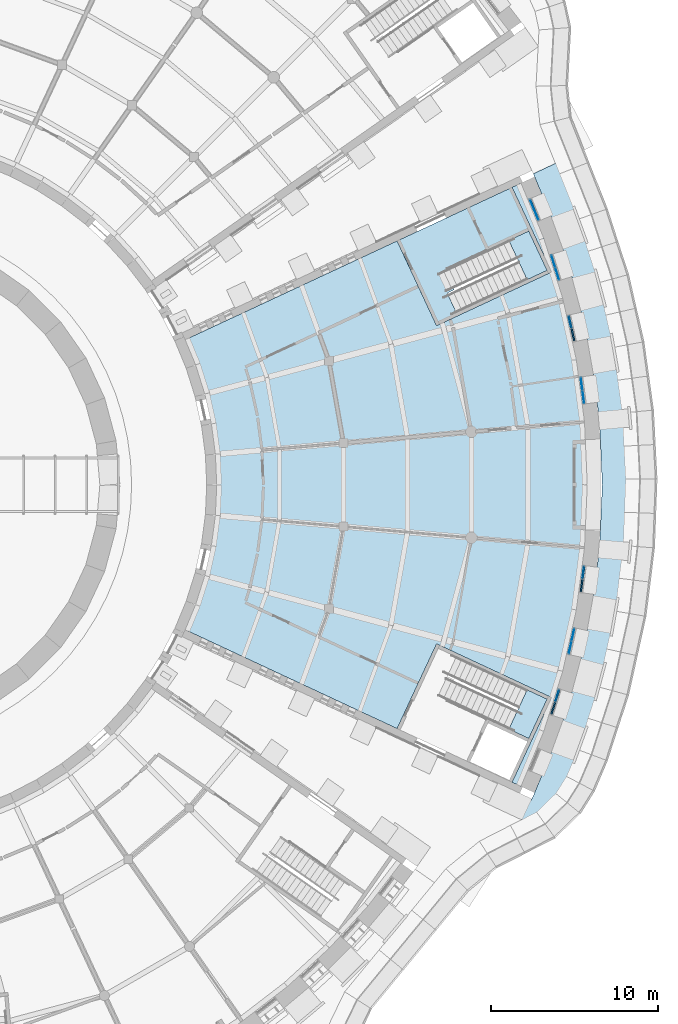
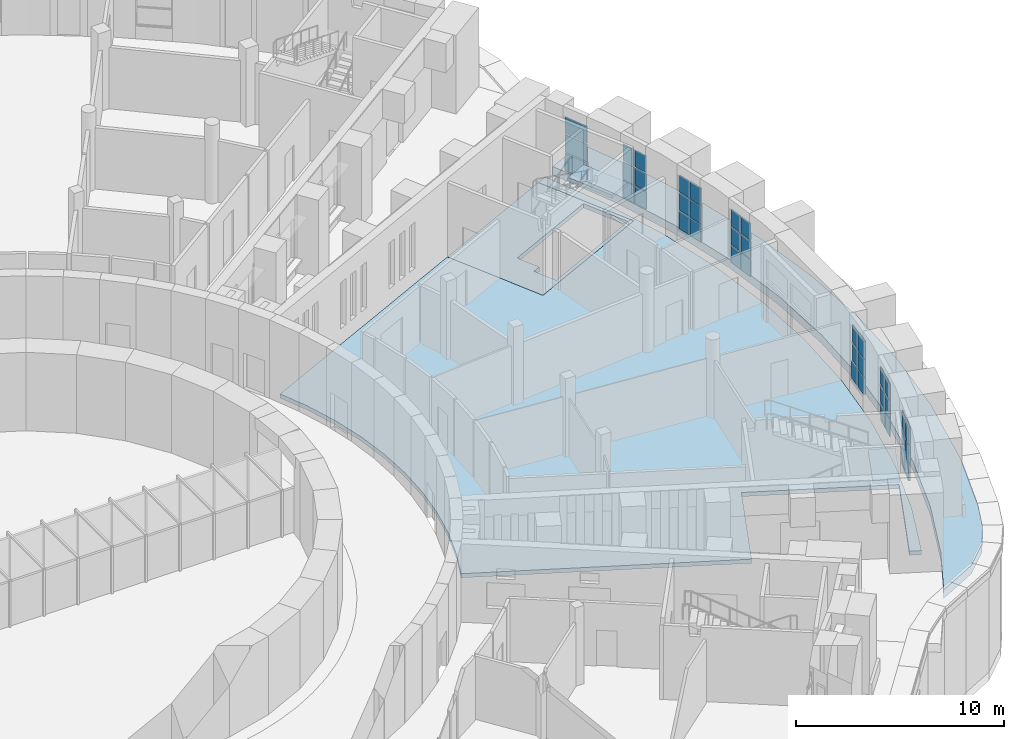
# One storey, part 35 of 85: 39 plates, 5 slabs, 9 elements without a shape of their own.
"""IFC4 building model written with IfcOpenShell, lengths in metres."""

from ifc_helpers import new_model, si_unit, direction, frame, origin, origin_2d, place, context, subcontext, project, spatial, polyline, rectangle, outline, extrude, material, layer, layer_set, type_object, element, aggregate, save


model = new_model("IFC4")

# Units and contexts
model_context = context("Model", 3, precision=1e-05, world=origin(), true_north=direction((0.0, 1.0)))
body_context = subcontext(model_context, "Body", "Model", "MODEL_VIEW")
ifc_project = project(units=[si_unit("LENGTHUNIT", "METRE"), si_unit("AREAUNIT", "SQUARE_METRE"), si_unit("VOLUMEUNIT", "CUBIC_METRE"), si_unit("PLANEANGLEUNIT", "RADIAN"), si_unit("MASSUNIT", "GRAM", prefix="KILO")], contexts=[model_context])

# Site, building, storey
site_placement = place(None, origin())
site = spatial("IfcSite", under=ifc_project, at=site_placement, CompositionType="ELEMENT")
building_placement = place(site_placement, origin())
building = spatial("IfcBuilding", under=site, at=building_placement, Name="Volute Hill Aquarium", CompositionType="ELEMENT")
storey_placement = place(building_placement, origin())
storey = spatial("IfcBuildingStorey", under=building, at=storey_placement, Name="L01", CompositionType="ELEMENT", Elevation=0.0)

# Slab
ifc_material_1 = material(Name="Concrete C30/37", Category="concrete")
ifc_layer_1 = layer(ifc_material_1, 0.25)
ifc_layer_set_1 = layer_set([ifc_layer_1], Name="Core floor slab 250")
slab_type_1 = type_object("IfcSlabType", Name="Core floor slab 250", PredefinedType="FLOOR", material=ifc_layer_set_1)
slab_1_placement = place(storey_placement, frame((0.0, 0.0, -0.25)))
element("IfcSlab", 1, at=slab_1_placement, inside=storey, type_object=slab_type_1, Name="cs/S4-B/L01", PredefinedType="FLOOR", context=body_context, shape_type="SweptSolid", body=[
    extrude(outline(polyline([(34.172119140625, 9.53515625), (41.059814453125, 12.7470703125), (38.693115234375, 17.822265625), (31.805419921875, 14.6103515625), (34.172119140625, 9.53515625)]), holes=[polyline([(34.665283203125, 12.8544921875), (39.6953125, 15.2001953125), (40.794189453125, 12.84375), (35.358154296875, 10.308837890625), (34.80859375, 11.487060546875), (35.214599609375, 11.676513671875), (34.665283203125, 12.8544921875)])]), origin(), (0.0, 0.0, 1.0), 0.25),
])

# Curtain wall, plates
ifc_material_2 = material(Name="Aluminium", Category="aluminium")
ifc_layer_2 = layer(ifc_material_2, 0.25)
ifc_layer_set_2 = layer_set([ifc_layer_2], Name="Curtain wall niche S4 module 819")
curtain_wall_type_1 = type_object("IfcCurtainWallType", Name="Curtain wall niche S4 module 819", PredefinedType="NOTDEFINED", material=ifc_layer_set_2)
curtain_wall_1_placement = place(storey_placement, origin())
curtain_wall_1 = element("IfcCurtainWall", 2, at=curtain_wall_1_placement, inside=storey, type_object=curtain_wall_type_1, Name="Curtain wall CW S4 L01 2", PredefinedType="NOTDEFINED")
ifc_material_3 = material(Name="Glass, low-iron laminated", Category="glass")
ifc_layer_3 = layer(ifc_material_3, 0.028076171875)
ifc_layer_set_3 = layer_set([ifc_layer_3], Name="Curtain wall glass panel S4 28")
plate_type_1 = type_object("IfcPlateType", Name="Curtain wall glass panel S4 28", PredefinedType="CURTAIN_PANEL", material=ifc_layer_set_3)
plate_1_placement = place(storey_placement, frame((41.398681640625, -12.639404296875, 1.86328125), z_axis=(0.0, 0.0, 1.0), x_axis=(0.300709576466, 0.953715759869, 0.0)))
plate_1 = element("IfcPlate", 3, at=plate_1_placement, type_object=plate_type_1, Name="CW panel 2.2", PredefinedType="CURTAIN_PANEL", context=body_context, shape_type="SweptSolid", body=[
    extrude(rectangle(XDim=0.728759765625, YDim=0.028076171875, at=origin_2d()), origin(), (0.0, 0.0, 1.0), 1.0234375),
])
plate_2_placement = place(storey_placement, frame((41.398681640625, -12.639404296875, 2.94677734375), z_axis=(0.0, 0.0, 1.0), x_axis=(0.300709576466, 0.953715759869, 0.0)))
plate_2 = element("IfcPlate", 4, at=plate_2_placement, type_object=plate_type_1, Name="CW panel 2.3", PredefinedType="CURTAIN_PANEL", context=body_context, shape_type="SweptSolid", body=[
    extrude(rectangle(XDim=0.728759765625, YDim=0.028076171875, at=origin_2d()), origin(), (0.0, 0.0, 1.0), 0.993408203125),
])

curtain_wall_2_placement = place(storey_placement, origin())
curtain_wall_2 = element("IfcCurtainWall", 5, at=curtain_wall_2_placement, inside=storey, type_object=curtain_wall_type_1, Name="Curtain wall CW S4 L01 3", PredefinedType="NOTDEFINED")
plate_3_placement = place(storey_placement, frame((42.172119140625, -9.75341796875, 0.81005859375), z_axis=(0.0, 0.0, 1.0), x_axis=(0.216431869204, 0.976297724054, 0.0)))
plate_3 = element("IfcPlate", 6, at=plate_3_placement, type_object=plate_type_1, Name="CW panel 1.1", PredefinedType="CURTAIN_PANEL", context=body_context, shape_type="SweptSolid", body=[
    extrude(rectangle(XDim=0.728759765625, YDim=0.028076171875, at=origin_2d()), origin(), (0.0, 0.0, 1.0), 0.993408203125),
])
plate_4_placement = place(storey_placement, frame((42.172119140625, -9.75341796875, 1.86328125), z_axis=(0.0, 0.0, 1.0), x_axis=(0.216431869204, 0.976297724054, 0.0)))
plate_4 = element("IfcPlate", 7, at=plate_4_placement, type_object=plate_type_1, Name="CW panel 1.2", PredefinedType="CURTAIN_PANEL", context=body_context, shape_type="SweptSolid", body=[
    extrude(rectangle(XDim=0.728759765625, YDim=0.028076171875, at=origin_2d()), origin(), (0.0, 0.0, 1.0), 1.0234375),
])
plate_5_placement = place(storey_placement, frame((42.172119140625, -9.75341796875, 2.94677734375), z_axis=(0.0, 0.0, 1.0), x_axis=(0.216431869204, 0.976297724054, 0.0)))
plate_5 = element("IfcPlate", 8, at=plate_5_placement, type_object=plate_type_1, Name="CW panel 1.3", PredefinedType="CURTAIN_PANEL", context=body_context, shape_type="SweptSolid", body=[
    extrude(rectangle(XDim=0.728759765625, YDim=0.028076171875, at=origin_2d()), origin(), (0.0, 0.0, 1.0), 0.993408203125),
])
plate_6_placement = place(storey_placement, frame((42.3427734375, -8.9833984375, 0.81005859375), z_axis=(0.0, 0.0, 1.0), x_axis=(0.216431869204, 0.976297724054, 0.0)))
plate_6 = element("IfcPlate", 9, at=plate_6_placement, type_object=plate_type_1, Name="CW panel 2.1", PredefinedType="CURTAIN_PANEL", context=body_context, shape_type="SweptSolid", body=[
    extrude(rectangle(XDim=0.728759765625, YDim=0.028076171875, at=origin_2d()), origin(), (0.0, 0.0, 1.0), 0.993408203125),
])
plate_7_placement = place(storey_placement, frame((42.3427734375, -8.9833984375, 1.86328125), z_axis=(0.0, 0.0, 1.0), x_axis=(0.216431869204, 0.976297724054, 0.0)))
plate_7 = element("IfcPlate", 10, at=plate_7_placement, type_object=plate_type_1, Name="CW panel 2.2", PredefinedType="CURTAIN_PANEL", context=body_context, shape_type="SweptSolid", body=[
    extrude(rectangle(XDim=0.728759765625, YDim=0.028076171875, at=origin_2d()), origin(), (0.0, 0.0, 1.0), 1.0234375),
])
plate_8_placement = place(storey_placement, frame((42.3427734375, -8.9833984375, 2.94677734375), z_axis=(0.0, 0.0, 1.0), x_axis=(0.216431869204, 0.976297724054, 0.0)))
plate_8 = element("IfcPlate", 11, at=plate_8_placement, type_object=plate_type_1, Name="CW panel 2.3", PredefinedType="CURTAIN_PANEL", context=body_context, shape_type="SweptSolid", body=[
    extrude(rectangle(XDim=0.728759765625, YDim=0.028076171875, at=origin_2d()), origin(), (0.0, 0.0, 1.0), 0.993408203125),
])
aggregate(curtain_wall_2, [plate_3, plate_4, plate_5, plate_6, plate_7, plate_8])

curtain_wall_3_placement = place(storey_placement, origin())
curtain_wall_3 = element("IfcCurtainWall", 12, at=curtain_wall_3_placement, inside=storey, type_object=curtain_wall_type_1, Name="Curtain wall CW S4 L01 4", PredefinedType="NOTDEFINED")
plate_9_placement = place(storey_placement, frame((42.964599609375, -5.258544921875, 1.86328125), z_axis=(0.0, 0.0, 1.0), x_axis=(0.130515808269, 0.991446228392, 0.0)))
plate_9 = element("IfcPlate", 13, at=plate_9_placement, type_object=plate_type_1, Name="CW panel 2.2", PredefinedType="CURTAIN_PANEL", context=body_context, shape_type="SweptSolid", body=[
    extrude(rectangle(XDim=0.728759765625, YDim=0.028076171875, at=origin_2d()), origin(), (0.0, 0.0, 1.0), 1.0234375),
])
plate_10_placement = place(storey_placement, frame((42.964599609375, -5.258544921875, 2.94677734375), z_axis=(0.0, 0.0, 1.0), x_axis=(0.130515808269, 0.991446228392, 0.0)))
plate_10 = element("IfcPlate", 14, at=plate_10_placement, type_object=plate_type_1, Name="CW panel 2.3", PredefinedType="CURTAIN_PANEL", context=body_context, shape_type="SweptSolid", body=[
    extrude(rectangle(XDim=0.728759765625, YDim=0.028076171875, at=origin_2d()), origin(), (0.0, 0.0, 1.0), 0.993408203125),
])

curtain_wall_4_placement = place(storey_placement, origin())
curtain_wall_4 = element("IfcCurtainWall", 15, at=curtain_wall_4_placement, inside=storey, type_object=curtain_wall_type_1, Name="Curtain wall CW S4 L01 7", PredefinedType="NOTDEFINED")
plate_11_placement = place(storey_placement, frame((42.964599609375, 5.258544921875, 0.81005859375), z_axis=(0.0, 0.0, 1.0), x_axis=(-0.130515808269, 0.991446228392, 0.0)))
plate_11 = element("IfcPlate", 16, at=plate_11_placement, type_object=plate_type_1, Name="CW panel 1.1", PredefinedType="CURTAIN_PANEL", context=body_context, shape_type="SweptSolid", body=[
    extrude(rectangle(XDim=0.728759765625, YDim=0.028076171875, at=origin_2d()), origin(), (0.0, 0.0, 1.0), 0.993408203125),
])
plate_12_placement = place(storey_placement, frame((42.964599609375, 5.258544921875, 1.86328125), z_axis=(0.0, 0.0, 1.0), x_axis=(-0.130515808269, 0.991446228392, 0.0)))
plate_12 = element("IfcPlate", 17, at=plate_12_placement, type_object=plate_type_1, Name="CW panel 1.2", PredefinedType="CURTAIN_PANEL", context=body_context, shape_type="SweptSolid", body=[
    extrude(rectangle(XDim=0.728759765625, YDim=0.028076171875, at=origin_2d()), origin(), (0.0, 0.0, 1.0), 1.0234375),
])
plate_13_placement = place(storey_placement, frame((42.964599609375, 5.258544921875, 2.94677734375), z_axis=(0.0, 0.0, 1.0), x_axis=(-0.130515808269, 0.991446228392, 0.0)))
plate_13 = element("IfcPlate", 18, at=plate_13_placement, type_object=plate_type_1, Name="CW panel 1.3", PredefinedType="CURTAIN_PANEL", context=body_context, shape_type="SweptSolid", body=[
    extrude(rectangle(XDim=0.728759765625, YDim=0.028076171875, at=origin_2d()), origin(), (0.0, 0.0, 1.0), 0.993408203125),
])
plate_14_placement = place(storey_placement, frame((42.86181640625, 6.04052734375, 0.81005859375), z_axis=(0.0, 0.0, 1.0), x_axis=(-0.130515808269, 0.991446228392, 0.0)))
plate_14 = element("IfcPlate", 19, at=plate_14_placement, type_object=plate_type_1, Name="CW panel 2.1", PredefinedType="CURTAIN_PANEL", context=body_context, shape_type="SweptSolid", body=[
    extrude(rectangle(XDim=0.728759765625, YDim=0.028076171875, at=origin_2d()), origin(), (0.0, 0.0, 1.0), 0.993408203125),
])
plate_15_placement = place(storey_placement, frame((42.86181640625, 6.04052734375, 1.86328125), z_axis=(0.0, 0.0, 1.0), x_axis=(-0.130515808269, 0.991446228392, 0.0)))
plate_15 = element("IfcPlate", 20, at=plate_15_placement, type_object=plate_type_1, Name="CW panel 2.2", PredefinedType="CURTAIN_PANEL", context=body_context, shape_type="SweptSolid", body=[
    extrude(rectangle(XDim=0.728759765625, YDim=0.028076171875, at=origin_2d()), origin(), (0.0, 0.0, 1.0), 1.0234375),
])
plate_16_placement = place(storey_placement, frame((42.86181640625, 6.04052734375, 2.94677734375), z_axis=(0.0, 0.0, 1.0), x_axis=(-0.130515808269, 0.991446228392, 0.0)))
plate_16 = element("IfcPlate", 21, at=plate_16_placement, type_object=plate_type_1, Name="CW panel 2.3", PredefinedType="CURTAIN_PANEL", context=body_context, shape_type="SweptSolid", body=[
    extrude(rectangle(XDim=0.728759765625, YDim=0.028076171875, at=origin_2d()), origin(), (0.0, 0.0, 1.0), 0.993408203125),
])
aggregate(curtain_wall_4, [plate_11, plate_12, plate_13, plate_14, plate_15, plate_16])

curtain_wall_5_placement = place(storey_placement, origin())
curtain_wall_5 = element("IfcCurtainWall", 22, at=curtain_wall_5_placement, inside=storey, type_object=curtain_wall_type_1, Name="Curtain wall CW S4 L01 8", PredefinedType="NOTDEFINED")
plate_17_placement = place(storey_placement, frame((42.172119140625, 9.753173828125, 1.86328125), z_axis=(0.0, 0.0, 1.0), x_axis=(-0.216436399795, 0.976296719673, 0.0)))
plate_17 = element("IfcPlate", 23, at=plate_17_placement, type_object=plate_type_1, Name="CW panel 2.2", PredefinedType="CURTAIN_PANEL", context=body_context, shape_type="SweptSolid", body=[
    extrude(rectangle(XDim=0.728759765625, YDim=0.028076171875, at=origin_2d()), origin(), (0.0, 0.0, 1.0), 1.0234375),
])
plate_18_placement = place(storey_placement, frame((42.172119140625, 9.753173828125, 2.94677734375), z_axis=(0.0, 0.0, 1.0), x_axis=(-0.216436399795, 0.976296719673, 0.0)))
plate_18 = element("IfcPlate", 24, at=plate_18_placement, type_object=plate_type_1, Name="CW panel 2.3", PredefinedType="CURTAIN_PANEL", context=body_context, shape_type="SweptSolid", body=[
    extrude(rectangle(XDim=0.728759765625, YDim=0.028076171875, at=origin_2d()), origin(), (0.0, 0.0, 1.0), 0.993408203125),
])

curtain_wall_6_placement = place(storey_placement, origin())
curtain_wall_6 = element("IfcCurtainWall", 25, at=curtain_wall_6_placement, inside=storey, type_object=curtain_wall_type_1, Name="Curtain wall CW S4 L01 9", PredefinedType="NOTDEFINED")
plate_19_placement = place(storey_placement, frame((41.398681640625, 12.639404296875, 0.81005859375), z_axis=(0.0, 0.0, 1.0), x_axis=(-0.300709576466, 0.953715759869, 0.0)))
plate_19 = element("IfcPlate", 26, at=plate_19_placement, type_object=plate_type_1, Name="CW panel 1.1", PredefinedType="CURTAIN_PANEL", context=body_context, shape_type="SweptSolid", body=[
    extrude(rectangle(XDim=0.728759765625, YDim=0.028076171875, at=origin_2d()), origin(), (0.0, 0.0, 1.0), 0.993408203125),
])
plate_20_placement = place(storey_placement, frame((41.398681640625, 12.639404296875, 1.86328125), z_axis=(0.0, 0.0, 1.0), x_axis=(-0.300709576466, 0.953715759869, 0.0)))
plate_20 = element("IfcPlate", 27, at=plate_20_placement, type_object=plate_type_1, Name="CW panel 1.2", PredefinedType="CURTAIN_PANEL", context=body_context, shape_type="SweptSolid", body=[
    extrude(rectangle(XDim=0.728759765625, YDim=0.028076171875, at=origin_2d()), origin(), (0.0, 0.0, 1.0), 1.0234375),
])
plate_21_placement = place(storey_placement, frame((41.398681640625, 12.639404296875, 2.94677734375), z_axis=(0.0, 0.0, 1.0), x_axis=(-0.300709576466, 0.953715759869, 0.0)))
plate_21 = element("IfcPlate", 28, at=plate_21_placement, type_object=plate_type_1, Name="CW panel 1.3", PredefinedType="CURTAIN_PANEL", context=body_context, shape_type="SweptSolid", body=[
    extrude(rectangle(XDim=0.728759765625, YDim=0.028076171875, at=origin_2d()), origin(), (0.0, 0.0, 1.0), 0.993408203125),
])
plate_22_placement = place(storey_placement, frame((41.16162109375, 13.391845703125, 0.81005859375), z_axis=(0.0, 0.0, 1.0), x_axis=(-0.300709576466, 0.953715759869, 0.0)))
plate_22 = element("IfcPlate", 29, at=plate_22_placement, type_object=plate_type_1, Name="CW panel 2.1", PredefinedType="CURTAIN_PANEL", context=body_context, shape_type="SweptSolid", body=[
    extrude(rectangle(XDim=0.728759765625, YDim=0.028076171875, at=origin_2d()), origin(), (0.0, 0.0, 1.0), 0.993408203125),
])
plate_23_placement = place(storey_placement, frame((41.16162109375, 13.391845703125, 1.86328125), z_axis=(0.0, 0.0, 1.0), x_axis=(-0.300709576466, 0.953715759869, 0.0)))
plate_23 = element("IfcPlate", 30, at=plate_23_placement, type_object=plate_type_1, Name="CW panel 2.2", PredefinedType="CURTAIN_PANEL", context=body_context, shape_type="SweptSolid", body=[
    extrude(rectangle(XDim=0.728759765625, YDim=0.028076171875, at=origin_2d()), origin(), (0.0, 0.0, 1.0), 1.0234375),
])
plate_24_placement = place(storey_placement, frame((41.16162109375, 13.391845703125, 2.94677734375), z_axis=(0.0, 0.0, 1.0), x_axis=(-0.300709576466, 0.953715759869, 0.0)))
plate_24 = element("IfcPlate", 31, at=plate_24_placement, type_object=plate_type_1, Name="CW panel 2.3", PredefinedType="CURTAIN_PANEL", context=body_context, shape_type="SweptSolid", body=[
    extrude(rectangle(XDim=0.728759765625, YDim=0.028076171875, at=origin_2d()), origin(), (0.0, 0.0, 1.0), 0.993408203125),
])
aggregate(curtain_wall_6, [plate_19, plate_20, plate_21, plate_22, plate_23, plate_24])

ifc_material_4 = material(Name="Aluminium", Category="aluminium")
ifc_layer_4 = layer(ifc_material_4, 0.25)
ifc_layer_set_4 = layer_set([ifc_layer_4], Name="Curtain wall niche S4 module 1437")
curtain_wall_type_2 = type_object("IfcCurtainWallType", Name="Curtain wall niche S4 module 1437", PredefinedType="NOTDEFINED", material=ifc_layer_set_4)
curtain_wall_7_placement = place(storey_placement, origin())
curtain_wall_7 = element("IfcCurtainWall", 32, at=curtain_wall_7_placement, inside=storey, type_object=curtain_wall_type_2, Name="Curtain wall CW S4 L01 10", PredefinedType="NOTDEFINED")
plate_25_placement = place(storey_placement, frame((40.027099609375, 16.471435546875, 1.86328125), z_axis=(0.0, 0.0, 1.0), x_axis=(-0.38269714514, 0.923873852375, 0.0)))
plate_25 = element("IfcPlate", 33, at=plate_25_placement, type_object=plate_type_1, Name="CW panel 1.2", PredefinedType="CURTAIN_PANEL", context=body_context, shape_type="SweptSolid", body=[
    extrude(rectangle(XDim=1.317138671875, YDim=0.028076171875, at=origin_2d()), origin(), (0.0, 0.0, 1.0), 1.0234375),
])
plate_26_placement = place(storey_placement, frame((40.027099609375, 16.471435546875, 2.94677734375), z_axis=(0.0, 0.0, 1.0), x_axis=(-0.38269714514, 0.923873852375, 0.0)))
plate_26 = element("IfcPlate", 34, at=plate_26_placement, type_object=plate_type_1, Name="CW panel 1.3", PredefinedType="CURTAIN_PANEL", context=body_context, shape_type="SweptSolid", body=[
    extrude(rectangle(XDim=1.317138671875, YDim=0.028076171875, at=origin_2d()), origin(), (0.0, 0.0, 1.0), 0.993408203125),
])

# Plate
ifc_material_5 = material(Name="Aluminium", Category="aluminium")
ifc_layer_5 = layer(ifc_material_5, 0.10009765625)
ifc_layer_set_5 = layer_set([ifc_layer_5], Name="Curtain wall insulated spandrel panel 100")
plate_type_2 = type_object("IfcPlateType", Name="Curtain wall insulated spandrel panel 100", PredefinedType="CURTAIN_PANEL", material=ifc_layer_set_5)
plate_27_placement = place(storey_placement, frame((41.16162109375, -13.391845703125, 0.81005859375), z_axis=(0.0, 0.0, 1.0), x_axis=(0.300709576466, 0.953715759869, 0.0)))
plate_27 = element("IfcPlate", 35, at=plate_27_placement, type_object=plate_type_2, Name="CW panel 1.1", PredefinedType="CURTAIN_PANEL", context=body_context, shape_type="SweptSolid", body=[
    extrude(rectangle(XDim=0.728759765625, YDim=0.10009765625, at=origin_2d()), origin(), (0.0, 0.0, 1.0), 0.993408203125),
])

plate_28_placement = place(storey_placement, frame((41.16162109375, -13.391845703125, 1.86328125), z_axis=(0.0, 0.0, 1.0), x_axis=(0.300709576466, 0.953715759869, 0.0)))
plate_28 = element("IfcPlate", 36, at=plate_28_placement, type_object=plate_type_2, Name="CW panel 1.2", PredefinedType="CURTAIN_PANEL", context=body_context, shape_type="SweptSolid", body=[
    extrude(rectangle(XDim=0.728759765625, YDim=0.10009765625, at=origin_2d()), origin(), (0.0, 0.0, 1.0), 1.0234375),
])

plate_29_placement = place(storey_placement, frame((41.16162109375, -13.391845703125, 2.94677734375), z_axis=(0.0, 0.0, 1.0), x_axis=(0.300709576466, 0.953715759869, 0.0)))
plate_29 = element("IfcPlate", 37, at=plate_29_placement, type_object=plate_type_2, Name="CW panel 1.3", PredefinedType="CURTAIN_PANEL", context=body_context, shape_type="SweptSolid", body=[
    extrude(rectangle(XDim=0.728759765625, YDim=0.10009765625, at=origin_2d()), origin(), (0.0, 0.0, 1.0), 0.993408203125),
])

plate_30_placement = place(storey_placement, frame((41.398681640625, -12.639404296875, 0.81005859375), z_axis=(0.0, 0.0, 1.0), x_axis=(0.300709576466, 0.953715759869, 0.0)))
plate_30 = element("IfcPlate", 38, at=plate_30_placement, type_object=plate_type_2, Name="CW panel 2.1", PredefinedType="CURTAIN_PANEL", context=body_context, shape_type="SweptSolid", body=[
    extrude(rectangle(XDim=0.728759765625, YDim=0.10009765625, at=origin_2d()), origin(), (0.0, 0.0, 1.0), 0.993408203125),
])

aggregate(curtain_wall_1, [plate_27, plate_28, plate_29, plate_30, plate_1, plate_2])

plate_31_placement = place(storey_placement, frame((42.86181640625, -6.04052734375, 0.81005859375), z_axis=(0.0, 0.0, 1.0), x_axis=(0.130515808269, 0.991446228392, 0.0)))
plate_31 = element("IfcPlate", 39, at=plate_31_placement, type_object=plate_type_2, Name="CW panel 1.1", PredefinedType="CURTAIN_PANEL", context=body_context, shape_type="SweptSolid", body=[
    extrude(rectangle(XDim=0.728759765625, YDim=0.10009765625, at=origin_2d()), origin(), (0.0, 0.0, 1.0), 0.993408203125),
])

plate_32_placement = place(storey_placement, frame((42.86181640625, -6.04052734375, 1.86328125), z_axis=(0.0, 0.0, 1.0), x_axis=(0.130515808269, 0.991446228392, 0.0)))
plate_32 = element("IfcPlate", 40, at=plate_32_placement, type_object=plate_type_2, Name="CW panel 1.2", PredefinedType="CURTAIN_PANEL", context=body_context, shape_type="SweptSolid", body=[
    extrude(rectangle(XDim=0.728759765625, YDim=0.10009765625, at=origin_2d()), origin(), (0.0, 0.0, 1.0), 1.0234375),
])

plate_33_placement = place(storey_placement, frame((42.86181640625, -6.04052734375, 2.94677734375), z_axis=(0.0, 0.0, 1.0), x_axis=(0.130515808269, 0.991446228392, 0.0)))
plate_33 = element("IfcPlate", 41, at=plate_33_placement, type_object=plate_type_2, Name="CW panel 1.3", PredefinedType="CURTAIN_PANEL", context=body_context, shape_type="SweptSolid", body=[
    extrude(rectangle(XDim=0.728759765625, YDim=0.10009765625, at=origin_2d()), origin(), (0.0, 0.0, 1.0), 0.993408203125),
])

plate_34_placement = place(storey_placement, frame((42.964599609375, -5.258544921875, 0.81005859375), z_axis=(0.0, 0.0, 1.0), x_axis=(0.130515808269, 0.991446228392, 0.0)))
plate_34 = element("IfcPlate", 42, at=plate_34_placement, type_object=plate_type_2, Name="CW panel 2.1", PredefinedType="CURTAIN_PANEL", context=body_context, shape_type="SweptSolid", body=[
    extrude(rectangle(XDim=0.728759765625, YDim=0.10009765625, at=origin_2d()), origin(), (0.0, 0.0, 1.0), 0.993408203125),
])

aggregate(curtain_wall_3, [plate_31, plate_32, plate_33, plate_34, plate_9, plate_10])

plate_35_placement = place(storey_placement, frame((42.3427734375, 8.983154296875, 0.81005859375), z_axis=(0.0, 0.0, 1.0), x_axis=(-0.216436399795, 0.976296719673, 0.0)))
plate_35 = element("IfcPlate", 43, at=plate_35_placement, type_object=plate_type_2, Name="CW panel 1.1", PredefinedType="CURTAIN_PANEL", context=body_context, shape_type="SweptSolid", body=[
    extrude(rectangle(XDim=0.728759765625, YDim=0.10009765625, at=origin_2d()), origin(), (0.0, 0.0, 1.0), 0.993408203125),
])

plate_36_placement = place(storey_placement, frame((42.3427734375, 8.983154296875, 1.86328125), z_axis=(0.0, 0.0, 1.0), x_axis=(-0.216436399795, 0.976296719673, 0.0)))
plate_36 = element("IfcPlate", 44, at=plate_36_placement, type_object=plate_type_2, Name="CW panel 1.2", PredefinedType="CURTAIN_PANEL", context=body_context, shape_type="SweptSolid", body=[
    extrude(rectangle(XDim=0.728759765625, YDim=0.10009765625, at=origin_2d()), origin(), (0.0, 0.0, 1.0), 1.0234375),
])

plate_37_placement = place(storey_placement, frame((42.3427734375, 8.983154296875, 2.94677734375), z_axis=(0.0, 0.0, 1.0), x_axis=(-0.216436399795, 0.976296719673, 0.0)))
plate_37 = element("IfcPlate", 45, at=plate_37_placement, type_object=plate_type_2, Name="CW panel 1.3", PredefinedType="CURTAIN_PANEL", context=body_context, shape_type="SweptSolid", body=[
    extrude(rectangle(XDim=0.728759765625, YDim=0.10009765625, at=origin_2d()), origin(), (0.0, 0.0, 1.0), 0.993408203125),
])

plate_38_placement = place(storey_placement, frame((42.172119140625, 9.753173828125, 0.81005859375), z_axis=(0.0, 0.0, 1.0), x_axis=(-0.216436399795, 0.976296719673, 0.0)))
plate_38 = element("IfcPlate", 46, at=plate_38_placement, type_object=plate_type_2, Name="CW panel 2.1", PredefinedType="CURTAIN_PANEL", context=body_context, shape_type="SweptSolid", body=[
    extrude(rectangle(XDim=0.728759765625, YDim=0.10009765625, at=origin_2d()), origin(), (0.0, 0.0, 1.0), 0.993408203125),
])

aggregate(curtain_wall_5, [plate_35, plate_36, plate_37, plate_38, plate_17, plate_18])

plate_39_placement = place(storey_placement, frame((40.027099609375, 16.471435546875, 0.81005859375), z_axis=(0.0, 0.0, 1.0), x_axis=(-0.38269714514, 0.923873852375, 0.0)))
plate_39 = element("IfcPlate", 47, at=plate_39_placement, type_object=plate_type_2, Name="CW panel 1.1", PredefinedType="CURTAIN_PANEL", context=body_context, shape_type="SweptSolid", body=[
    extrude(rectangle(XDim=1.317138671875, YDim=0.10009765625, at=origin_2d()), origin(), (0.0, 0.0, 1.0), 0.993408203125),
])

aggregate(curtain_wall_7, [plate_39, plate_25, plate_26])

# Slabs
ifc_material_6 = material(Name="Concrete C35/45", Category="concrete")
ifc_layer_6 = layer(ifc_material_6, 0.239990234375)
ifc_layer_set_6 = layer_set([ifc_layer_6], Name="Floor slab 240 C35/45")
slab_type_2 = type_object("IfcSlabType", Name="Floor slab 240 C35/45", PredefinedType="FLOOR", material=ifc_layer_set_6)
slab_2_placement = place(storey_placement, frame((0.0, 0.0, -0.239990234375)))
element("IfcSlab", 48, at=slab_2_placement, inside=storey, type_object=slab_type_2, Name="fl/S4/L01/1", PredefinedType="FLOOR", context=body_context, shape_type="SweptSolid", body=[
    extrude(outline(polyline([(40.5947265625, 14.775390625), (41.72802734375, 11.180908203125), (42.543701171875, 7.501708984375), (43.03564453125, 3.76513671875), (43.199951171875, 0.0), (43.03564453125, -3.76513671875), (42.543701171875, -7.501708984375), (41.72802734375, -11.180908203125), (40.5947265625, -14.775390625), (39.22900390625, -18.072265625), (38.693115234375, -17.822265625), (41.059814453125, -12.7470703125), (34.172119140625, -9.53515625), (31.805419921875, -14.6103515625), (19.109130859375, -8.68994140625), (19.7333984375, -7.182373046875), (20.284423828125, -5.435302734375), (20.680908203125, -3.646484375), (20.920166015625, -1.830322265625), (21.0, 0.0), (20.920166015625, 1.830322265625), (20.680908203125, 3.646484375), (20.284423828125, 5.435302734375), (19.7333984375, 7.182373046875), (19.109130859375, 8.68994140625), (31.805419921875, 14.6103515625), (34.172119140625, 9.53515625), (41.059814453125, 12.7470703125), (38.693115234375, 17.822265625), (39.22900390625, 18.072265625), (40.5947265625, 14.775390625)])), origin(), (0.0, 0.0, 1.0), 0.239990234375),
])
ifc_material_7 = material(Name="Concrete C30/37", Category="concrete")
ifc_layer_7 = layer(ifc_material_7, 0.5)
ifc_layer_set_7 = layer_set([ifc_layer_7], Name="Site paving build-up C30/37 500")
slab_type_3 = type_object("IfcSlabType", Name="Site paving build-up C30/37 500", PredefinedType="BASESLAB", material=ifc_layer_set_7)
slab_3_placement = place(storey_placement, frame((0.0, 0.0, -0.5)))
element("IfcSlab", 49, at=slab_3_placement, inside=storey, type_object=slab_type_3, Name="pv/UP/L01/4", PredefinedType="BASESLAB", context=body_context, shape_type="SweptSolid", body=[
    extrude(outline(polyline([(44.708740234375, 12.331787109375), (43.459716796875, 16.194091796875), (42.09619140625, 19.6298828125), (39.96826171875, 18.637451171875), (41.4404296875, 15.0830078125), (42.597412109375, 11.413818359375), (43.429931640625, 7.657958984375), (43.93212890625, 3.843505859375), (44.10009765625, 0.0), (43.93212890625, -3.843505859375), (43.429931640625, -7.657958984375), (42.597412109375, -11.413818359375), (41.4404296875, -15.0830078125), (39.96826171875, -18.637451171875), (38.501953125, -21.4541015625), (40.680908203125, -20.337890625), (42.00146484375, -19.0556640625), (42.739990234375, -17.884033203125), (43.464111328125, -16.18017578125), (44.707275390625, -12.3359375), (45.73193359375, -7.714111328125), (46.230224609375, -3.703125), (46.376953125, 0.340087890625), (46.1708984375, 4.380859375), (45.61328125, 8.38818359375), (44.708740234375, 12.331787109375)])), origin(), (0.0, 0.0, 1.0), 0.5),
])

# Stair, slab
ifc_material_8 = material(Name="Concrete C35/45", Category="concrete")
stair_type = type_object("IfcStairType", Name="Stair C35/45", PredefinedType="HALF_TURN_STAIR", material=ifc_material_8)
stair_1_placement = place(storey_placement, origin())
stair_1 = element("IfcStair", 50, at=stair_1_placement, inside=storey, type_object=stair_type, Name="ST/S4-A/L01", PredefinedType="HALF_TURN_STAIR")
ifc_material_9 = material(Name="Concrete C35/45", Category="concrete")
ifc_layer_8 = layer(ifc_material_9, 0.199951171875)
ifc_layer_set_8 = layer_set([ifc_layer_8], Name="Stair landing C35/45 200")
slab_type_4 = type_object("IfcSlabType", Name="Stair landing C35/45 200", PredefinedType="LANDING", material=ifc_layer_set_8)
slab_4_placement = place(storey_placement, frame((0.0, 0.0, 2.10009765625)))
slab_4 = element("IfcSlab", 51, at=slab_4_placement, type_object=slab_type_4, Name="ST-S4-A-01 landing 1", PredefinedType="LANDING", context=body_context, shape_type="SweptSolid", body=[
    extrude(outline(polyline([(38.497314453125, -14.641357421875), (39.6953125, -15.2001953125), (40.794189453125, -12.84375), (39.595947265625, -12.284912109375), (38.497314453125, -14.641357421875)])), origin(), (0.0, 0.0, 1.0), 0.199951171875),
])
aggregate(stair_1, [slab_4])

stair_2_placement = place(storey_placement, origin())
stair_2 = element("IfcStair", 52, at=stair_2_placement, inside=storey, type_object=stair_type, Name="ST/S4-B/L01", PredefinedType="HALF_TURN_STAIR")
slab_5_placement = place(storey_placement, frame((0.0, 0.0, 2.10009765625)))
slab_5 = element("IfcSlab", 53, at=slab_5_placement, type_object=slab_type_4, Name="ST-S4-B-01 landing 1", PredefinedType="LANDING", context=body_context, shape_type="SweptSolid", body=[
    extrude(outline(polyline([(39.595947265625, 12.284912109375), (40.794189453125, 12.84375), (39.6953125, 15.2001953125), (38.497314453125, 14.641357421875), (39.595947265625, 12.284912109375)])), origin(), (0.0, 0.0, 1.0), 0.199951171875),
])
aggregate(stair_2, [slab_5])

save(model, "model.ifc")
